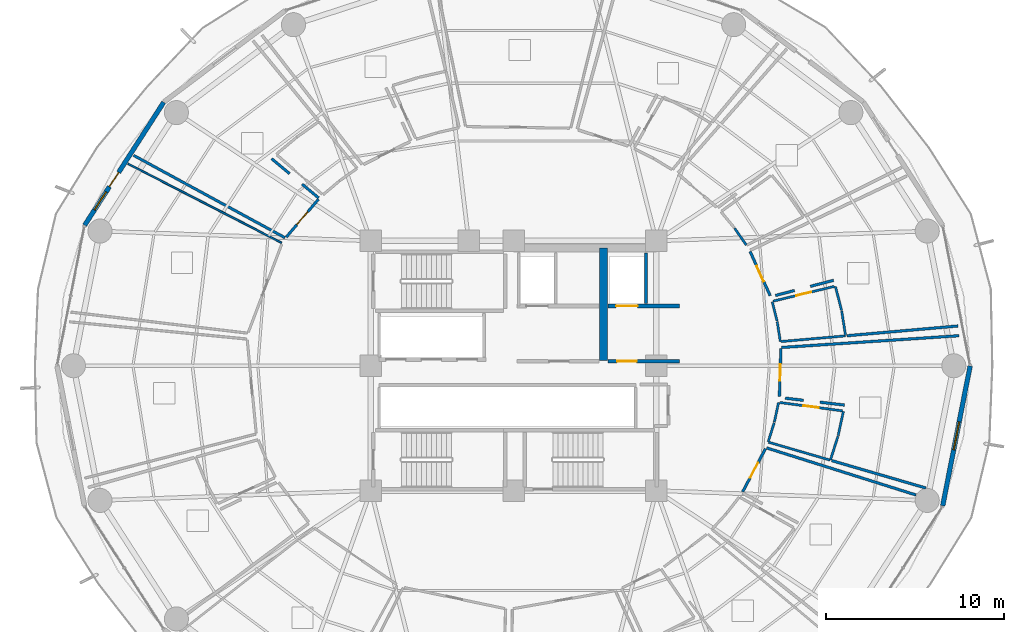
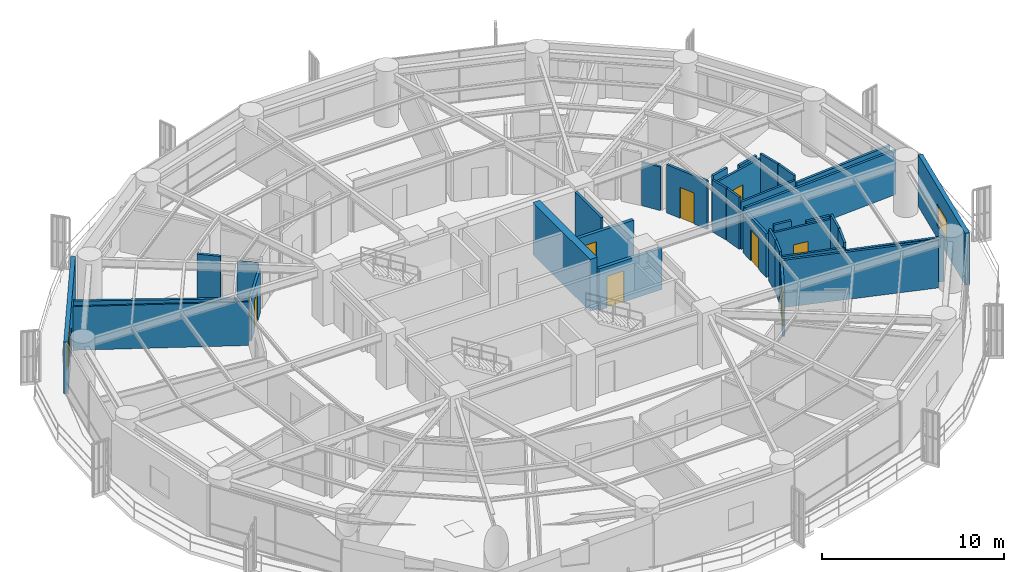
# One storey, part 31 of 38: 35 walls, 9 doors, 2 windows, 11 openings.
"""IFC4 building model written with IfcOpenShell, lengths in metres."""

import ifcopenshell
import ifcopenshell.guid

model = None  # the IFC model being written
_history = None  # IfcOwnerHistory: only IFC2X3 demands one
_inside = {}  # id of a spatial element -> (the spatial element, [elements in it])
_under = {}  # id of a project, library or spatial element -> (it, [spatial elements below it])
_declared = {}  # id of a project -> (the project, [libraries it declares])
_typed = {}  # id of a type object -> (the type object, [elements of that type])
_made_of = {}  # id of a material, layer set ... -> (it, [elements and type objects made of it])


def new_model(schema):
    """Start an empty IFC model of exactly this schema.

    Asked for "IFC4X3", IfcOpenShell would pick the latest addendum, in which some entities
    have other attributes; the version numbers below select the first issue.
    IFC2X3 requires an IfcOwnerHistory on every rooted entity: one is made here for all.
    """
    global model, _history
    if schema == "IFC4X3":
        model = ifcopenshell.file(schema_version=(4, 3, 0, 0))
    else:
        model = ifcopenshell.file(schema=schema)
    _inside.clear()
    _under.clear()
    _declared.clear()
    _typed.clear()
    _made_of.clear()
    _history = None
    if model.schema == "IFC2X3":
        org = make("IfcOrganization", Name="unknown")
        user = make(
            "IfcPersonAndOrganization",
            ThePerson=make("IfcPerson", FamilyName="unknown"),
            TheOrganization=org,
        )
        app = make(
            "IfcApplication",
            ApplicationDeveloper=org,
            Version="unknown",
            ApplicationFullName="unknown",
            ApplicationIdentifier="unknown",
        )
        _history = make(
            "IfcOwnerHistory",
            OwningUser=user,
            OwningApplication=app,
            ChangeAction="ADDED",
            CreationDate=0,
        )
    return model


def make(cls, **values):
    """One entity of the class cls with the attributes given. An attribute that is None is left unset."""
    return model.create_entity(
        cls, **{name: value for name, value in values.items() if value is not None}
    )


def rooted(cls, **values):
    """An entity with a GlobalId (a new one), such as an element, a storey or a relation."""
    return make(cls, GlobalId=ifcopenshell.guid.new(), OwnerHistory=_history, **values)


def si_unit(unit_type, name, prefix=None):
    """IfcSIUnit, for example si_unit("LENGTHUNIT", "METRE", prefix="MILLI")."""
    return make("IfcSIUnit", UnitType=unit_type, Prefix=prefix, Name=name)


def assignment(units):
    """IfcUnitAssignment: the units of a project."""
    return None if units is None else make("IfcUnitAssignment", Units=units)


def point(xyz):
    """IfcCartesianPoint."""
    return None if xyz is None else make("IfcCartesianPoint", Coordinates=xyz)


def direction(xyz):
    """IfcDirection."""
    return None if xyz is None else make("IfcDirection", DirectionRatios=xyz)


def frame(location, z_axis=None, x_axis=None):
    """IfcAxis2Placement3D, a coordinate frame: its origin and axes. An axis left out is left unset."""
    return make(
        "IfcAxis2Placement3D",
        Location=point(location),
        Axis=direction(z_axis),
        RefDirection=direction(x_axis),
    )


def frame_2d(location, x_axis=None):
    """IfcAxis2Placement2D, a coordinate frame in the plane: its origin and x axis."""
    return make(
        "IfcAxis2Placement2D", Location=point(location), RefDirection=direction(x_axis)
    )


def origin():
    """The frame at (0, 0, 0) with its axes left unset."""
    return frame((0.0, 0.0, 0.0))


def place(relative_to, where):
    """IfcLocalPlacement: puts the frame where relative to a parent placement (None: the world)."""
    return make(
        "IfcLocalPlacement", PlacementRelTo=relative_to, RelativePlacement=where
    )


def context(
    kind, dimensions, precision=None, world=None, true_north=None, identifier=None
):
    """IfcGeometricRepresentationContext, for example the 3D "Model" context."""
    return make(
        "IfcGeometricRepresentationContext",
        ContextIdentifier=identifier,
        ContextType=kind,
        CoordinateSpaceDimension=dimensions,
        Precision=precision,
        WorldCoordinateSystem=world,
        TrueNorth=true_north,
    )


def subcontext(parent, identifier, kind, view, scale=None):
    """IfcGeometricRepresentationSubContext, for example "Body" below "Model"."""
    return make(
        "IfcGeometricRepresentationSubContext",
        ContextIdentifier=identifier,
        ContextType=kind,
        ParentContext=parent,
        TargetScale=scale,
        TargetView=view,
    )


def project(units=None, contexts=None):
    """IfcProject with its units and contexts."""
    return rooted(
        "IfcProject",
        Name="project",
        RepresentationContexts=contexts,
        UnitsInContext=assignment(units),
    )


def spatial(cls, under=None, at=None, **own):
    """A site, building, storey or space (cls), placed at a placement, below another one or the project."""
    s = rooted(cls, ObjectPlacement=at, **own)
    if under is not None:
        _under.setdefault(under.id(), (under, []))[1].append(s)
    return s


def profile(cls, at=None, kind="AREA", **sizes):
    """A parametric profile (cls). Its sizes go by their IFC names, for example OverallWidth=200.0."""
    return make(cls, ProfileType=kind, Position=at, **sizes)


def rectangle(**sizes):
    """IfcRectangleProfileDef."""
    return profile("IfcRectangleProfileDef", **sizes)


def extrude(swept, where, along, depth):
    """IfcExtrudedAreaSolid: the profile swept, set in the frame where, extruded along a direction by depth."""
    return make(
        "IfcExtrudedAreaSolid",
        SweptArea=swept,
        Position=where,
        ExtrudedDirection=direction(along),
        Depth=depth,
    )


def shape(context_of_items, identifier, shape_type, items):
    """IfcShapeRepresentation: the items that make up one representation, for example the "Body"."""
    return make(
        "IfcShapeRepresentation",
        ContextOfItems=context_of_items,
        RepresentationIdentifier=identifier,
        RepresentationType=shape_type,
        Items=items,
    )


def material(Name=None, Category=None):
    """IfcMaterial."""
    return make("IfcMaterial", Name=Name, Category=Category)


def layer(
    of_material, thickness, ventilated=None, Name=None, Category=None, Priority=None
):
    """IfcMaterialLayer: one layer of a wall or slab, of a material (None: an air gap)."""
    return make(
        "IfcMaterialLayer",
        Material=of_material,
        LayerThickness=thickness,
        IsVentilated=ventilated,
        Name=Name,
        Category=Category,
        Priority=Priority,
    )


def layer_set(layers, Name=None):
    """IfcMaterialLayerSet."""
    return make("IfcMaterialLayerSet", MaterialLayers=layers, LayerSetName=Name)


def made_of(thing, what):
    """Note that an element or type object is made of a material, layer set ...; save() writes the relation."""
    if what is not None:
        _made_of.setdefault(what.id(), (what, []))[1].append(thing)
    return thing


def type_object(cls, material=None, **own):
    """A type object (cls), such as IfcWallType, which elements share."""
    return made_of(rooted(cls, **own), material)


def element(
    cls,
    number,
    at=None,
    inside=None,
    cuts=None,
    type_object=None,
    material=None,
    context=None,
    identifier="Body",
    shape_type=None,
    held_by="IfcProductDefinitionShape",
    body=None,
    shapes=None,
    **own,
):
    """One element of the class cls, such as IfcWall. Its Tag is "e" and its number.

    at: its placement. inside: the storey or other place that contains it. cuts: it is an
    opening in that element (IfcRelVoidsElement). A single representation is given by context,
    identifier, shape_type and body (its items); several are given by shapes. held_by: the class
    of the entity that holds the representations. save() writes the other relations.
    """
    e = rooted(cls, Tag="e%d" % number, ObjectPlacement=at, **own)
    if body is not None:
        shapes = [shape(context, identifier, shape_type, body)]
    if shapes is not None:
        e.Representation = make(held_by, Representations=shapes)
    if inside is not None:
        _inside.setdefault(inside.id(), (inside, []))[1].append(e)
    if cuts is not None:
        rooted(
            "IfcRelVoidsElement", RelatingBuildingElement=cuts, RelatedOpeningElement=e
        )
    if type_object is not None:
        _typed.setdefault(type_object.id(), (type_object, []))[1].append(e)
    return made_of(e, material)


def fill(opening, filler):
    """IfcRelFillsElement: the door or window that sits in an opening."""
    return rooted(
        "IfcRelFillsElement",
        RelatingOpeningElement=opening,
        RelatedBuildingElement=filler,
    )


def aggregate(whole, parts):
    """IfcRelAggregates: a whole, such as a stair, and the parts it consists of."""
    return rooted("IfcRelAggregates", RelatingObject=whole, RelatedObjects=parts)


def save(model, path):
    """Write the relations noted so far, then the file.

    IfcRelAggregates (storeys below a building ...), IfcRelContainedInSpatialStructure (elements
    in a storey), IfcRelDefinesByType, IfcRelAssociatesMaterial and IfcRelDeclares: one each for
    every whole, place, type object, material and project.
    """
    for whole, parts in _under.values():
        aggregate(whole, parts)
    for where, things in _inside.values():
        rooted(
            "IfcRelContainedInSpatialStructure",
            RelatedElements=things,
            RelatingStructure=where,
        )
    for kind, things in _typed.values():
        rooted("IfcRelDefinesByType", RelatedObjects=things, RelatingType=kind)
    for what, things in _made_of.values():
        rooted("IfcRelAssociatesMaterial", RelatedObjects=things, RelatingMaterial=what)
    for by, libraries in _declared.values():
        rooted("IfcRelDeclares", RelatingContext=by, RelatedDefinitions=libraries)
    model.write(path)


model = new_model("IFC4")

# Units and contexts
model_context = context("Model", 3, precision=1e-05, world=origin(), true_north=direction((0.0, 1.0)))
body_context = subcontext(model_context, "Body", "Model", "MODEL_VIEW")
ifc_project = project(units=[si_unit("LENGTHUNIT", "METRE"), si_unit("AREAUNIT", "SQUARE_METRE"), si_unit("VOLUMEUNIT", "CUBIC_METRE"), si_unit("PLANEANGLEUNIT", "RADIAN"), si_unit("MASSUNIT", "GRAM", prefix="KILO")], contexts=[model_context])

# Site, building, storey
site_placement = place(None, origin())
site = spatial("IfcSite", under=ifc_project, at=site_placement, CompositionType="ELEMENT")
building_placement = place(site_placement, origin())
building = spatial("IfcBuilding", under=site, at=building_placement, Name="Kelanora Arch Commons", CompositionType="ELEMENT")
storey_placement = place(building_placement, frame((0.0, 0.0, 106.35009765625)))
storey = spatial("IfcBuildingStorey", under=building, at=storey_placement, Name="L27", CompositionType="ELEMENT", Elevation=106.35009765625)

# Wall
ifc_material_1 = material(Name="Autoclaved aerated concrete blockwork with fire plaster", Category="masonry")
ifc_layer_1 = layer(ifc_material_1, 0.14990234375)
ifc_layer_set_1 = layer_set([ifc_layer_1], Name="Autoclaved aerated concrete blockwork with fire plaster")
wall_type_1 = type_object("IfcWallType", Name="W-COMP-150", PredefinedType="PARTITIONING", material=ifc_layer_set_1)
wall_1_placement = place(storey_placement, frame((81.419921875, 61.47998046875, 0.0), z_axis=(0.0, 0.0, 1.0), x_axis=(0.0, 1.0, 0.0)))
element("IfcWall", 1, at=wall_1_placement, inside=storey, type_object=wall_type_1, Name="Firefighting Lift 2 East Shaft Wall L27", PredefinedType="PARTITIONING", context=body_context, shape_type="SweptSolid", body=[
    extrude(rectangle(XDim=2.840087890625, YDim=0.14990234375, at=frame_2d((1.419921875, 0.0))), origin(), (0.0, 0.0, 1.0), 3.47998046875),
])

# Wall, opening, door
wall_2_placement = place(storey_placement, frame((88.38720703125, 61.924560546875, 0.0), z_axis=(0.0, 0.0, 1.0), x_axis=(-0.413748987938, 0.910391001153, 0.0)))
wall_2 = element("IfcWall", 2, at=wall_2_placement, inside=storey, type_object=wall_type_1, Name="Co-Living Studio L27-01 Entry Partition", PredefinedType="PARTITIONING", context=body_context, shape_type="SweptSolid", body=[
    extrude(rectangle(XDim=2.727294921875, YDim=0.14990234375, at=frame_2d((1.36376953125, 0.0))), origin(), (0.0, 0.0, 1.0), 3.23486328125),
])
opening_1_placement = place(wall_2_placement, frame((0.888916015625, 0.0, 0.0)))
opening_1 = element("IfcOpeningElement", 3, at=opening_1_placement, cuts=wall_2, Name="Opening D-CLU1", PredefinedType="OPENING", context=body_context, shape_type="SweptSolid", body=[
    extrude(rectangle(XDim=0.949951171875, YDim=2.080078125, at=frame_2d((0.47509765625, 1.0400390625))), frame((0.0, 0.0849609375, 0.0), z_axis=(0.0, -1.0, 0.0), x_axis=(1.0, 0.0, 0.0)), (0.0, 0.0, 1.0), 0.169921875),
])
ifc_material_2 = material(Name="Solid-core acoustic timber cluster entry fire door", Category="wood")
door_type_1 = type_object("IfcDoorType", Name="D-CLU-95", OperationType="NOTDEFINED", PredefinedType="DOOR", material=ifc_material_2)
door_1_placement = place(opening_1_placement, origin())
door_1 = element("IfcDoor", 4, at=door_1_placement, inside=storey, type_object=door_type_1, Name="Co-Living Studio L27-01 Door", OperationType="SINGLE_SWING_LEFT", OverallHeight=2.080078125, OverallWidth=0.949951171875, PredefinedType="DOOR", context=body_context, shape_type="SweptSolid", body=[
    extrude(rectangle(XDim=0.949951171875, YDim=2.080078125, at=frame_2d((0.47509765625, 1.0400390625))), frame((0.0, 0.02490234375, 0.0), z_axis=(0.0, -1.0, 0.0), x_axis=(1.0, 0.0, 0.0)), (0.0, 0.0, 1.0), 0.050048828125),
])
fill(opening_1, door_1)

wall_3_placement = place(storey_placement, frame((63.060302734375, 67.33740234375, 0.0), z_axis=(0.0, 0.0, 1.0), x_axis=(-0.647519081114, -0.762049236988, 0.0)))
wall_3 = element("IfcWall", 5, at=wall_3_placement, inside=storey, type_object=wall_type_1, Name="Co-Living Studio L27-06 Entry Partition", PredefinedType="PARTITIONING", context=body_context, shape_type="SweptSolid", body=[
    extrude(rectangle(XDim=2.794677734375, YDim=0.14990234375, at=frame_2d((1.3974609375, 0.0))), origin(), (0.0, 0.0, 1.0), 2.9248046875),
])
opening_2_placement = place(wall_3_placement, frame((0.922119140625, 0.0, 0.0)))
opening_2 = element("IfcOpeningElement", 6, at=opening_2_placement, cuts=wall_3, Name="Opening D-CLU1", PredefinedType="OPENING", context=body_context, shape_type="SweptSolid", body=[
    extrude(rectangle(XDim=0.949951171875, YDim=2.080078125, at=frame_2d((0.47509765625, 1.0400390625))), frame((0.0, 0.0849609375, 0.0), z_axis=(0.0, -1.0, 0.0), x_axis=(1.0, 0.0, 0.0)), (0.0, 0.0, 1.0), 0.169921875),
])
door_2_placement = place(opening_2_placement, origin())
door_2 = element("IfcDoor", 7, at=door_2_placement, inside=storey, type_object=door_type_1, Name="Co-Living Studio L27-06 Door", OperationType="SINGLE_SWING_RIGHT", OverallHeight=2.080078125, OverallWidth=0.949951171875, PredefinedType="DOOR", context=body_context, shape_type="SweptSolid", body=[
    extrude(rectangle(XDim=0.949951171875, YDim=2.080078125, at=frame_2d((0.47509765625, 1.0400390625))), frame((0.0, 0.02490234375, 0.0), z_axis=(0.0, -1.0, 0.0), x_axis=(1.0, 0.0, 0.0)), (0.0, 0.0, 1.0), 0.050048828125),
])
fill(opening_2, door_2)

wall_4_placement = place(storey_placement, frame((86.842041015625, 50.929931640625, 0.0), z_axis=(0.0, 0.0, 1.0), x_axis=(0.467240653506, 0.884130178034, 0.0)))
wall_4 = element("IfcWall", 8, at=wall_4_placement, inside=storey, type_object=wall_type_1, Name="Co-Living Studio L27-14 Entry Partition", PredefinedType="PARTITIONING", context=body_context, shape_type="SweptSolid", body=[
    extrude(rectangle(XDim=2.739501953125, YDim=0.14990234375, at=frame_2d((1.36962890625, 0.0))), origin(), (0.0, 0.0, 1.0), 2.9248046875),
])
opening_3_placement = place(wall_4_placement, frame((0.89501953125, 0.0, 0.0)))
opening_3 = element("IfcOpeningElement", 9, at=opening_3_placement, cuts=wall_4, Name="Opening D-CLU1", PredefinedType="OPENING", context=body_context, shape_type="SweptSolid", body=[
    extrude(rectangle(XDim=0.949951171875, YDim=2.080078125, at=frame_2d((0.47509765625, 1.0400390625))), frame((0.0, 0.0849609375, 0.0), z_axis=(0.0, -1.0, 0.0), x_axis=(1.0, 0.0, 0.0)), (0.0, 0.0, 1.0), 0.169921875),
])
door_3_placement = place(opening_3_placement, origin())
door_3 = element("IfcDoor", 10, at=door_3_placement, inside=storey, type_object=door_type_1, Name="Co-Living Studio L27-14 Door", OperationType="SINGLE_SWING_LEFT", OverallHeight=2.080078125, OverallWidth=0.949951171875, PredefinedType="DOOR", context=body_context, shape_type="SweptSolid", body=[
    extrude(rectangle(XDim=0.949951171875, YDim=2.080078125, at=frame_2d((0.47509765625, 1.0400390625))), frame((0.0, 0.02490234375, 0.0), z_axis=(0.0, -1.0, 0.0), x_axis=(1.0, 0.0, 0.0)), (0.0, 0.0, 1.0), 0.050048828125),
])
fill(opening_3, door_3)

wall_5_placement = place(storey_placement, frame((88.90283203125, 56.280029296875, 0.0), z_axis=(0.0, 0.0, 1.0), x_axis=(0.031027384649, 0.999518534797, 0.0)))
wall_5 = element("IfcWall", 11, at=wall_5_placement, inside=storey, type_object=wall_type_1, Name="Co-Living Studio L27-15 Entry Partition", PredefinedType="PARTITIONING", context=body_context, shape_type="SweptSolid", body=[
    extrude(rectangle(XDim=2.68310546875, YDim=0.14990234375, at=frame_2d((1.341552734375, 0.0))), origin(), (0.0, 0.0, 1.0), 2.9248046875),
])
opening_4_placement = place(wall_5_placement, frame((0.866943359375, 0.0, 0.0)))
opening_4 = element("IfcOpeningElement", 12, at=opening_4_placement, cuts=wall_5, Name="Opening D-CLU1", PredefinedType="OPENING", context=body_context, shape_type="SweptSolid", body=[
    extrude(rectangle(XDim=0.949951171875, YDim=2.080078125, at=frame_2d((0.47509765625, 1.0400390625))), frame((0.0, 0.0849609375, 0.0), z_axis=(0.0, -1.0, 0.0), x_axis=(1.0, 0.0, 0.0)), (0.0, 0.0, 1.0), 0.169921875),
])
door_4_placement = place(opening_4_placement, origin())
door_4 = element("IfcDoor", 13, at=door_4_placement, inside=storey, type_object=door_type_1, Name="Co-Living Studio L27-15 Door", OperationType="SINGLE_SWING_LEFT", OverallHeight=2.080078125, OverallWidth=0.949951171875, PredefinedType="DOOR", context=body_context, shape_type="SweptSolid", body=[
    extrude(rectangle(XDim=0.949951171875, YDim=2.080078125, at=frame_2d((0.47509765625, 1.0400390625))), frame((0.0, 0.02490234375, 0.0), z_axis=(0.0, -1.0, 0.0), x_axis=(1.0, 0.0, 0.0)), (0.0, 0.0, 1.0), 0.050048828125),
])
fill(opening_4, door_4)

# Walls
wall_6_placement = place(storey_placement, frame((98.916259765625, 60.2294921875, 0.0), z_axis=(0.0, 0.0, 1.0), x_axis=(-0.996158887303, -0.08756409793, 0.0)))
element("IfcWall", 14, at=wall_6_placement, inside=storey, type_object=wall_type_1, Name="Co-Living Studio L27-01 Enclosure Partition 5", PredefinedType="PARTITIONING", context=body_context, shape_type="SweptSolid", body=[
    extrude(rectangle(XDim=6.245361328125, YDim=0.14990234375, at=frame_2d((3.12255859375, 0.0))), origin(), (0.0, 0.0, 1.0), 2.974853515625),
])
wall_7_placement = place(storey_placement, frame((91.938232421875, 62.788818359375, 0.0), z_axis=(0.0, 0.0, 1.0), x_axis=(-0.967708049996, -0.252073659816, 0.0)))
element("IfcWall", 15, at=wall_7_placement, inside=storey, type_object=wall_type_1, Name="Co-Living Studio L27-01 Enclosure Partition 7", PredefinedType="PARTITIONING", context=body_context, shape_type="SweptSolid", body=[
    extrude(rectangle(XDim=1.34130859375, YDim=0.14990234375, at=frame_2d((0.670654296875, 0.0))), origin(), (0.0, 0.0, 1.0), 3.1748046875),
])
wall_8_placement = place(storey_placement, frame((89.74951171875, 62.218505859375, 0.0), z_axis=(0.0, 0.0, 1.0), x_axis=(-0.96768541666, -0.252160532962, 0.0)))
element("IfcWall", 16, at=wall_8_placement, inside=storey, type_object=wall_type_1, Name="Co-Living Studio L27-01 Enclosure Partition 7", PredefinedType="PARTITIONING", context=body_context, shape_type="SweptSolid", body=[
    extrude(rectangle(XDim=1.102783203125, YDim=0.14990234375, at=frame_2d((0.55126953125, 0.0))), origin(), (0.0, 0.0, 1.0), 3.47998046875),
])
wall_9_placement = place(storey_placement, frame((61.177001953125, 65.18115234375, 0.0), z_axis=(0.0, 0.0, 1.0), x_axis=(-0.878445909545, 0.477841798092, 0.0)))
element("IfcWall", 17, at=wall_9_placement, inside=storey, type_object=wall_type_1, Name="Co-Living Studio L27-06 Enclosure Partition 2", PredefinedType="PARTITIONING", context=body_context, shape_type="SweptSolid", body=[
    extrude(rectangle(XDim=9.6533203125, YDim=0.14990234375, at=frame_2d((4.82666015625, 0.0))), origin(), (0.0, 0.0, 1.0), 2.9248046875),
])
wall_10_placement = place(storey_placement, frame((60.4326171875, 69.611328125, 0.0), z_axis=(0.0, 0.0, 1.0), x_axis=(0.767335111176, -0.641246307714, 0.0)))
element("IfcWall", 18, at=wall_10_placement, inside=storey, type_object=wall_type_1, Name="Co-Living Studio L27-06 Enclosure Partition 7", PredefinedType="PARTITIONING", context=body_context, shape_type="SweptSolid", body=[
    extrude(rectangle(XDim=1.310791015625, YDim=0.14990234375, at=frame_2d((0.6552734375, 0.0))), origin(), (0.0, 0.0, 1.0), 3.47998046875),
])
wall_11_placement = place(storey_placement, frame((62.14453125, 68.1806640625, 0.0), z_axis=(0.0, 0.0, 1.0), x_axis=(0.767356229846, -0.641221035616, 0.0)))
element("IfcWall", 19, at=wall_11_placement, inside=storey, type_object=wall_type_1, Name="Co-Living Studio L27-06 Enclosure Partition 7", PredefinedType="PARTITIONING", context=body_context, shape_type="SweptSolid", body=[
    extrude(rectangle(XDim=1.203857421875, YDim=0.14990234375, at=frame_2d((0.60205078125, 0.0))), origin(), (0.0, 0.0, 1.0), 3.23486328125),
])
wall_12_placement = place(storey_placement, frame((88.18798828125, 53.39306640625, 0.0), z_axis=(0.0, 0.0, 1.0), x_axis=(0.95372586497, -0.300677525743, 0.0)))
element("IfcWall", 20, at=wall_12_placement, inside=storey, type_object=wall_type_1, Name="Co-Living Studio L27-14 Enclosure Partition 2", PredefinedType="PARTITIONING", context=body_context, shape_type="SweptSolid", body=[
    extrude(rectangle(XDim=8.77978515625, YDim=0.14990234375, at=frame_2d((4.389892578125, 0.0))), origin(), (0.0, 0.0, 1.0), 3.1748046875),
])
wall_13_placement = place(storey_placement, frame((89.02783203125, 59.024658203125, 0.0), z_axis=(0.0, 0.0, 1.0), x_axis=(0.997812074352, 0.066114024819, 0.0)))
element("IfcWall", 21, at=wall_13_placement, inside=storey, type_object=wall_type_1, Name="Co-Living Studio L27-15 Enclosure Partition 2", PredefinedType="PARTITIONING", context=body_context, shape_type="SweptSolid", body=[
    extrude(rectangle(XDim=9.962890625, YDim=0.14990234375, at=frame_2d((4.9814453125, 0.0))), origin(), (0.0, 0.0, 1.0), 2.974853515625),
])
wall_14_placement = place(storey_placement, frame((97.114990234375, 51.14404296875, 0.0), z_axis=(0.0, 0.0, 1.0), x_axis=(-0.960104911934, 0.279640050924, 0.0)))
element("IfcWall", 22, at=wall_14_placement, inside=storey, type_object=wall_type_1, Name="Co-Living Studio L27-15 Enclosure Partition 5", PredefinedType="PARTITIONING", context=body_context, shape_type="SweptSolid", body=[
    extrude(rectangle(XDim=5.495849609375, YDim=0.14990234375, at=frame_2d((2.748046875, 0.0))), origin(), (0.0, 0.0, 1.0), 2.974853515625),
])
wall_15_placement = place(storey_placement, frame((92.54736328125, 55.796630859375, 0.0), z_axis=(0.0, 0.0, 1.0), x_axis=(-0.993324337397, 0.115354933722, 0.0)))
element("IfcWall", 23, at=wall_15_placement, inside=storey, type_object=wall_type_1, Name="Co-Living Studio L27-15 Enclosure Partition 7", PredefinedType="PARTITIONING", context=body_context, shape_type="SweptSolid", body=[
    extrude(rectangle(XDim=1.382080078125, YDim=0.14990234375, at=frame_2d((0.69091796875, 0.0))), origin(), (0.0, 0.0, 1.0), 3.1748046875),
])
wall_16_placement = place(storey_placement, frame((90.260498046875, 56.06201171875, 0.0), z_axis=(0.0, 0.0, 1.0), x_axis=(-0.993318037321, 0.115409170924, 0.0)))
element("IfcWall", 24, at=wall_16_placement, inside=storey, type_object=wall_type_1, Name="Co-Living Studio L27-15 Enclosure Partition 7", PredefinedType="PARTITIONING", context=body_context, shape_type="SweptSolid", body=[
    extrude(rectangle(XDim=1.03857421875, YDim=0.14990234375, at=frame_2d((0.519287109375, 0.0))), origin(), (0.0, 0.0, 1.0), 3.47998046875),
])
ifc_material_3 = material(Name="Concrete C60/75", Category="concrete")
ifc_layer_2 = layer(ifc_material_3, 0.449951171875)
ifc_layer_set_2 = layer_set([ifc_layer_2], Name="Concrete C60/75")
wall_type_2 = type_object("IfcWallType", Name="W-CORE-450", PredefinedType="SHEAR", material=ifc_layer_set_2)
wall_17_placement = place(storey_placement, frame((79.050048828125, 58.300048828125, 0.0), z_axis=(0.0, 0.0, 1.0), x_axis=(0.0, 1.0, 0.0)))
element("IfcWall", 25, at=wall_17_placement, inside=storey, type_object=wall_type_2, Name="Core Shear Spine L27-CE-N", PredefinedType="SHEAR", context=body_context, shape_type="SweptSolid", body=[
    extrude(rectangle(XDim=6.300048828125, YDim=0.449951171875, at=frame_2d((3.14990234375, 0.0))), origin(), (0.0, 0.0, 1.0), 3.489990234375),
])

# Wall, openings, door, window
ifc_material_4 = material(Name="Precast concrete C40/50 with terracotta rainscreen", Category="masonry")
ifc_layer_3 = layer(ifc_material_4, 0.260009765625)
ifc_layer_set_3 = layer_set([ifc_layer_3], Name="Precast concrete C40/50 with terracotta rainscreen")
wall_type_3 = type_object("IfcWallType", Name="W-EXT-TC", PredefinedType="SOLIDWALL", material=ifc_layer_set_3)
wall_18_placement = place(storey_placement, frame((54.381103515625, 72.771484375, 0.0), z_axis=(0.0, 0.0, 1.0), x_axis=(-0.540620528459, -0.841266571432, 0.0)))
wall_18 = element("IfcWall", 26, at=wall_18_placement, inside=storey, type_object=wall_type_3, Name="Terracotta Exterior Wall L27-B07", PredefinedType="SOLIDWALL", context=body_context, shape_type="SweptSolid", body=[
    extrude(rectangle(XDim=8.19287109375, YDim=0.260009765625, at=frame_2d((4.096435546875, 0.0))), origin(), (0.0, 0.0, 1.0), 3.474853515625),
])
opening_5_placement = place(wall_18_placement, frame((4.6708984375, 0.0, 0.0)))
opening_5 = element("IfcOpeningElement", 27, at=opening_5_placement, cuts=wall_18, Name="Opening DB-01", PredefinedType="OPENING", context=body_context, shape_type="SweptSolid", body=[
    extrude(rectangle(XDim=0.949951171875, YDim=2.10009765625, at=frame_2d((0.47509765625, 1.050048828125))), frame((0.0, 0.14013671875, 0.0), z_axis=(0.0, -1.0, 0.0), x_axis=(1.0, 0.0, 0.0)), (0.0, 0.0, 1.0), 0.280029296875),
])
opening_6_placement = place(wall_18_placement, frame((5.970947265625, 0.0, 0.85009765625)))
opening_6 = element("IfcOpeningElement", 28, at=opening_6_placement, cuts=wall_18, Name="Opening WN-02", PredefinedType="OPENING", context=body_context, shape_type="SweptSolid", body=[
    extrude(rectangle(XDim=1.199951171875, YDim=1.449951171875, at=frame_2d((0.60009765625, 0.72509765625))), frame((0.0, 0.14013671875, 0.0), z_axis=(0.0, -1.0, 0.0), x_axis=(1.0, 0.0, 0.0)), (0.0, 0.0, 1.0), 0.280029296875),
])
ifc_material_5 = material(Name="Terracotta-aluminium thermally broken glazed balcony door", Category="masonry")
door_type_2 = type_object("IfcDoorType", Name="D-BAL-10", OperationType="NOTDEFINED", PredefinedType="DOOR", material=ifc_material_5)
door_5_placement = place(opening_5_placement, frame((0.949951171875, 0.0, 0.0), z_axis=(0.0, 0.0, 1.0), x_axis=(-1.0, 0.0, 0.0)))
door_5 = element("IfcDoor", 29, at=door_5_placement, inside=storey, type_object=door_type_2, Name="Wave Balcony Door L27-B07", OperationType="SINGLE_SWING_LEFT", OverallHeight=2.10009765625, OverallWidth=0.949951171875, PredefinedType="DOOR", context=body_context, shape_type="SweptSolid", body=[
    extrude(rectangle(XDim=0.949951171875, YDim=2.10009765625, at=frame_2d((0.47509765625, 1.050048828125))), frame((0.0, 0.02490234375, 0.0), z_axis=(0.0, -1.0, 0.0), x_axis=(1.0, 0.0, 0.0)), (0.0, 0.0, 1.0), 0.050048828125),
])
fill(opening_5, door_5)
ifc_material_6 = material(Name="Terracotta-anodised aluminium frame with operable awning sash", Category="masonry")
window_type_1 = type_object("IfcWindowType", Name="WIN-CL-12", PartitioningType="SINGLE_PANEL", PredefinedType="WINDOW", material=ifc_material_6)
window_1_placement = place(opening_6_placement, origin())
window_1 = element("IfcWindow", 30, at=window_1_placement, inside=storey, type_object=window_type_1, Name="Co-Living Operable Window L27-B07", OverallHeight=1.449951171875, OverallWidth=1.199951171875, PartitioningType="SINGLE_PANEL", PredefinedType="WINDOW", context=body_context, shape_type="SweptSolid", body=[
    extrude(rectangle(XDim=1.199951171875, YDim=1.449951171875, at=frame_2d((0.60009765625, 0.72509765625))), frame((0.0, 0.030029296875, 0.0), z_axis=(0.0, -1.0, 0.0), x_axis=(1.0, 0.0, 0.0)), (0.0, 0.0, 1.0), 0.06005859375),
])
fill(opening_6, window_1)

# Wall, opening, window
wall_19_placement = place(storey_placement, frame((98.05908203125, 50.148193359375, 0.0), z_axis=(0.0, 0.0, 1.0), x_axis=(0.192581843632, 0.981280914674, 0.0)))
wall_19 = element("IfcWall", 31, at=wall_19_placement, inside=storey, type_object=wall_type_3, Name="Terracotta Exterior Wall L27-B17", PredefinedType="SOLIDWALL", context=body_context, shape_type="SweptSolid", body=[
    extrude(rectangle(XDim=7.986572265625, YDim=0.260009765625, at=frame_2d((3.9931640625, 0.0))), origin(), (0.0, 0.0, 1.0), 3.474853515625),
])
opening_7_placement = place(wall_19_placement, frame((3.193115234375, 0.0, 0.85009765625)))
opening_7 = element("IfcOpeningElement", 32, at=opening_7_placement, cuts=wall_19, Name="Opening WN-01", PredefinedType="OPENING", context=body_context, shape_type="SweptSolid", body=[
    extrude(rectangle(XDim=1.60009765625, YDim=1.449951171875, at=frame_2d((0.800048828125, 0.72509765625))), frame((0.0, 0.14013671875, 0.0), z_axis=(0.0, -1.0, 0.0), x_axis=(1.0, 0.0, 0.0)), (0.0, 0.0, 1.0), 0.280029296875),
])
ifc_material_7 = material(Name="Terracotta-anodised aluminium frame with operable low-E glazing", Category="masonry")
window_type_2 = type_object("IfcWindowType", Name="WIN-CL-18", PartitioningType="DOUBLE_PANEL_VERTICAL", PredefinedType="WINDOW", material=ifc_material_7)
window_2_placement = place(opening_7_placement, origin())
window_2 = element("IfcWindow", 33, at=window_2_placement, inside=storey, type_object=window_type_2, Name="Co-Living Operable Window L27-B17", OverallHeight=1.449951171875, OverallWidth=1.60009765625, PartitioningType="SINGLE_PANEL", PredefinedType="WINDOW", context=body_context, shape_type="SweptSolid", body=[
    extrude(rectangle(XDim=1.60009765625, YDim=1.449951171875, at=frame_2d((0.800048828125, 0.72509765625))), frame((0.0, 0.030029296875, 0.0), z_axis=(0.0, -1.0, 0.0), x_axis=(1.0, 0.0, 0.0)), (0.0, 0.0, 1.0), 0.06005859375),
])
fill(opening_7, window_2)

# Wall, opening, door
ifc_material_8 = material(Name="Concrete C40/50", Category="concrete")
ifc_layer_4 = layer(ifc_material_8, 0.199951171875)
ifc_layer_set_4 = layer_set([ifc_layer_4], Name="Concrete C40/50")
wall_type_4 = type_object("IfcWallType", Name="W-FFL-200", PredefinedType="SOLIDWALL", material=ifc_layer_set_4)
wall_20_placement = place(storey_placement, frame((79.300048828125, 61.35009765625, 0.0), z_axis=(0.0, 0.0, 1.0), x_axis=(1.0, 0.0, 0.0)))
wall_20 = element("IfcWall", 34, at=wall_20_placement, inside=storey, type_object=wall_type_4, Name="Firefighting Lift 2 Shaft Front L27", PredefinedType="SOLIDWALL", context=body_context, shape_type="SweptSolid", body=[
    extrude(rectangle(XDim=4.0, YDim=0.199951171875, at=frame_2d((2.0, 0.0))), origin(), (0.0, 0.0, 1.0), 2.77490234375),
])
opening_8_placement = place(wall_20_placement, frame((0.449951171875, 0.0, 0.0)))
opening_8 = element("IfcOpeningElement", 35, at=opening_8_placement, cuts=wall_20, Name="Opening LD-FF", PredefinedType="OPENING", context=body_context, shape_type="SweptSolid", body=[
    extrude(rectangle(XDim=1.199951171875, YDim=2.14990234375, at=frame_2d((0.60009765625, 1.074951171875))), frame((0.0, 0.10986328125, 0.0), z_axis=(0.0, -1.0, 0.0), x_axis=(1.0, 0.0, 0.0)), (0.0, 0.0, 1.0), 0.219970703125),
])
ifc_material_9 = material(Name="Fire-rated firefighters lift sliding landing door")
door_type_3 = type_object("IfcDoorType", Name="D-LIFT-FF", OperationType="NOTDEFINED", PredefinedType="DOOR", material=ifc_material_9)
door_6_placement = place(opening_8_placement, origin())
door_6 = element("IfcDoor", 36, at=door_6_placement, inside=storey, type_object=door_type_3, Name="Firefighting Lift LF-FF2 Landing Door L27", OperationType="DOUBLE_DOOR_SLIDING", OverallHeight=2.14990234375, OverallWidth=1.199951171875, PredefinedType="DOOR", context=body_context, shape_type="SweptSolid", body=[
    extrude(rectangle(XDim=1.199951171875, YDim=2.14990234375, at=frame_2d((0.60009765625, 1.074951171875))), frame((0.0, 0.02490234375, 0.0), z_axis=(0.0, -1.0, 0.0), x_axis=(1.0, 0.0, 0.0)), (0.0, 0.0, 1.0), 0.050048828125),
])
fill(opening_8, door_6)

wall_21_placement = place(storey_placement, frame((79.300048828125, 58.25, 0.0), z_axis=(0.0, 0.0, 1.0), x_axis=(1.0, 0.0, 0.0)))
wall_21 = element("IfcWall", 37, at=wall_21_placement, inside=storey, type_object=wall_type_4, Name="Firefighting Lobby 2 Enclosure Wall L27", PredefinedType="SOLIDWALL", context=body_context, shape_type="SweptSolid", body=[
    extrude(rectangle(XDim=4.0, YDim=0.199951171875, at=frame_2d((2.0, 0.0))), origin(), (0.0, 0.0, 1.0), 2.77490234375),
])
opening_9_placement = place(wall_21_placement, frame((0.5, 0.0, 0.0)))
opening_9 = element("IfcOpeningElement", 38, at=opening_9_placement, cuts=wall_21, Name="Opening D-FFL1", PredefinedType="OPENING", context=body_context, shape_type="SweptSolid", body=[
    extrude(rectangle(XDim=1.10009765625, YDim=2.10009765625, at=frame_2d((0.550048828125, 1.050048828125))), frame((0.0, 0.10986328125, 0.0), z_axis=(0.0, -1.0, 0.0), x_axis=(1.0, 0.0, 0.0)), (0.0, 0.0, 1.0), 0.219970703125),
])
ifc_material_10 = material(Name="Smoke-sealed firefighting lobby fire door")
door_type_4 = type_object("IfcDoorType", Name="D-FFL-110", OperationType="NOTDEFINED", PredefinedType="DOOR", material=ifc_material_10)
door_7_placement = place(opening_9_placement, frame((1.10009765625, 0.0, 0.0), z_axis=(0.0, 0.0, 1.0), x_axis=(-1.0, 0.0, 0.0)))
door_7 = element("IfcDoor", 39, at=door_7_placement, inside=storey, type_object=door_type_4, Name="Firefighting Lobby 2 Door L27", OperationType="SINGLE_SWING_RIGHT", OverallHeight=2.10009765625, OverallWidth=1.10009765625, PredefinedType="DOOR", context=body_context, shape_type="SweptSolid", body=[
    extrude(rectangle(XDim=1.10009765625, YDim=2.10009765625, at=frame_2d((0.550048828125, 1.050048828125))), frame((0.0, 0.02490234375, 0.0), z_axis=(0.0, -1.0, 0.0), x_axis=(1.0, 0.0, 0.0)), (0.0, 0.0, 1.0), 0.050048828125),
])
fill(opening_9, door_7)

# Wall
ifc_material_11 = material(Name="Lightweight fire-rated acoustic stud partition")
ifc_layer_5 = layer(ifc_material_11, 0.10009765625)
ifc_layer_set_5 = layer_set([ifc_layer_5], Name="Lightweight fire-rated acoustic stud partition")
wall_type_5 = type_object("IfcWallType", Name="W-PART-100", PredefinedType="PARTITIONING", material=ifc_layer_set_5)
wall_22_placement = place(storey_placement, frame((52.381591796875, 69.32373046875, 0.0), z_axis=(0.0, 0.0, 1.0), x_axis=(0.889175506344, -0.457566300025, 0.0)))
element("IfcWall", 40, at=wall_22_placement, inside=storey, type_object=wall_type_5, Name="Social Sky Lounge L27-07 Enclosure Partition 4", PredefinedType="PARTITIONING", context=body_context, shape_type="SweptSolid", body=[
    extrude(rectangle(XDim=9.67822265625, YDim=0.10009765625, at=frame_2d((4.839111328125, 0.0))), origin(), (0.0, 0.0, 1.0), 2.9248046875),
])

# Wall, opening, door
ifc_material_12 = material(Name="Moisture-resistant fire-rated cement-board plumbing wall")
ifc_layer_6 = layer(ifc_material_12, 0.1298828125)
ifc_layer_set_6 = layer_set([ifc_layer_6], Name="Moisture-resistant fire-rated cement-board plumbing wall")
wall_type_6 = type_object("IfcWallType", Name="W-WET-120", PredefinedType="PLUMBINGWALL", material=ifc_layer_set_6)
wall_23_placement = place(storey_placement, frame((88.55224609375, 61.62109375, 0.0), z_axis=(0.0, 0.0, 1.0), x_axis=(0.972155080707, 0.234338428465, 0.0)))
wall_23 = element("IfcWall", 41, at=wall_23_placement, inside=storey, type_object=wall_type_6, Name="En-Suite Shower WC L27-01 Entry Partition", PredefinedType="PLUMBINGWALL", context=body_context, shape_type="SweptSolid", body=[
    extrude(rectangle(XDim=3.528564453125, YDim=0.1298828125, at=frame_2d((1.76416015625, 0.0))), origin(), (0.0, 0.0, 1.0), 3.1748046875),
])
opening_10_placement = place(wall_23_placement, frame((1.333984375, 0.0, 0.0)))
opening_10 = element("IfcOpeningElement", 42, at=opening_10_placement, cuts=wall_23, Name="Opening D-BT1", PredefinedType="OPENING", context=body_context, shape_type="SweptSolid", body=[
    extrude(rectangle(XDim=0.860107421875, YDim=2.050048828125, at=frame_2d((0.43017578125, 1.02490234375))), frame((0.0, 0.074951171875, 0.0), z_axis=(0.0, -1.0, 0.0), x_axis=(1.0, 0.0, 0.0)), (0.0, 0.0, 1.0), 0.14990234375),
])
ifc_material_13 = material(Name="Moisture-sealed fire-rated accessible bathroom door")
door_type_5 = type_object("IfcDoorType", Name="D-BATH-85", OperationType="NOTDEFINED", PredefinedType="DOOR", material=ifc_material_13)
door_8_placement = place(opening_10_placement, origin())
door_8 = element("IfcDoor", 43, at=door_8_placement, inside=storey, type_object=door_type_5, Name="En-Suite Shower WC L27-01 Door", OperationType="SINGLE_SWING_RIGHT", OverallHeight=2.050048828125, OverallWidth=0.860107421875, PredefinedType="DOOR", context=body_context, shape_type="SweptSolid", body=[
    extrude(rectangle(XDim=0.860107421875, YDim=2.050048828125, at=frame_2d((0.43017578125, 1.02490234375))), frame((0.0, 0.02490234375, 0.0), z_axis=(0.0, -1.0, 0.0), x_axis=(1.0, 0.0, 0.0)), (0.0, 0.0, 1.0), 0.050048828125),
])
fill(opening_10, door_8)

wall_24_placement = place(storey_placement, frame((88.91845703125, 55.94091796875, 0.0), z_axis=(0.0, 0.0, 1.0), x_axis=(0.991153836697, -0.132718016867, 0.0)))
wall_24 = element("IfcWall", 44, at=wall_24_placement, inside=storey, type_object=wall_type_6, Name="En-Suite Shower WC L27-15 Entry Partition", PredefinedType="PLUMBINGWALL", context=body_context, shape_type="SweptSolid", body=[
    extrude(rectangle(XDim=3.548583984375, YDim=0.1298828125, at=frame_2d((1.7744140625, 0.0))), origin(), (0.0, 0.0, 1.0), 3.1748046875),
])
opening_11_placement = place(wall_24_placement, frame((1.343994140625, 0.0, 0.0)))
opening_11 = element("IfcOpeningElement", 45, at=opening_11_placement, cuts=wall_24, Name="Opening D-BT1", PredefinedType="OPENING", context=body_context, shape_type="SweptSolid", body=[
    extrude(rectangle(XDim=0.860107421875, YDim=2.050048828125, at=frame_2d((0.43017578125, 1.02490234375))), frame((0.0, 0.074951171875, 0.0), z_axis=(0.0, -1.0, 0.0), x_axis=(1.0, 0.0, 0.0)), (0.0, 0.0, 1.0), 0.14990234375),
])
door_9_placement = place(opening_11_placement, origin())
door_9 = element("IfcDoor", 46, at=door_9_placement, inside=storey, type_object=door_type_5, Name="En-Suite Shower WC L27-15 Door", OperationType="SINGLE_SWING_RIGHT", OverallHeight=2.050048828125, OverallWidth=0.860107421875, PredefinedType="DOOR", context=body_context, shape_type="SweptSolid", body=[
    extrude(rectangle(XDim=0.860107421875, YDim=2.050048828125, at=frame_2d((0.43017578125, 1.02490234375))), frame((0.0, 0.02490234375, 0.0), z_axis=(0.0, -1.0, 0.0), x_axis=(1.0, 0.0, 0.0)), (0.0, 0.0, 1.0), 0.050048828125),
])
fill(opening_11, door_9)

# Walls
wall_25_placement = place(storey_placement, frame((88.952880859375, 59.373779296875, 0.0), z_axis=(0.0, 0.0, 1.0), x_axis=(-0.15586083115, 0.987779024536, 0.0)))
element("IfcWall", 47, at=wall_25_placement, inside=storey, type_object=wall_type_6, Name="En-Suite Shower WC L27-01 Enclosure Partition 1", PredefinedType="PLUMBINGWALL", context=body_context, shape_type="SweptSolid", body=[
    extrude(rectangle(XDim=1.109130859375, YDim=0.1298828125, at=frame_2d((0.5546875, 0.0))), origin(), (0.0, 0.0, 1.0), 3.47998046875),
])
wall_26_placement = place(storey_placement, frame((88.772216796875, 60.50830078125, 0.0), z_axis=(0.0, 0.0, 1.0), x_axis=(-0.245578364709, 0.96937674141, 0.0)))
element("IfcWall", 48, at=wall_26_placement, inside=storey, type_object=wall_type_6, Name="En-Suite Shower WC L27-01 Enclosure Partition 2", PredefinedType="PLUMBINGWALL", context=body_context, shape_type="SweptSolid", body=[
    extrude(rectangle(XDim=1.113525390625, YDim=0.1298828125, at=frame_2d((0.556640625, 0.0))), origin(), (0.0, 0.0, 1.0), 3.47998046875),
])
wall_27_placement = place(storey_placement, frame((92.0458984375, 62.442626953125, 0.0), z_axis=(0.0, 0.0, 1.0), x_axis=(0.246925879087, -0.969034369998, 0.0)))
element("IfcWall", 49, at=wall_27_placement, inside=storey, type_object=wall_type_6, Name="En-Suite Shower WC L27-01 Enclosure Partition 4", PredefinedType="PLUMBINGWALL", context=body_context, shape_type="SweptSolid", body=[
    extrude(rectangle(XDim=1.38623046875, YDim=0.1298828125, at=frame_2d((0.693115234375, 0.0))), origin(), (0.0, 0.0, 1.0), 3.47998046875),
])
wall_28_placement = place(storey_placement, frame((92.39599609375, 61.060302734375, 0.0), z_axis=(0.0, 0.0, 1.0), x_axis=(0.156116740912, -0.987738610771, 0.0)))
element("IfcWall", 50, at=wall_28_placement, inside=storey, type_object=wall_type_6, Name="En-Suite Shower WC L27-01 Enclosure Partition 5", PredefinedType="PLUMBINGWALL", context=body_context, shape_type="SweptSolid", body=[
    extrude(rectangle(XDim=1.38232421875, YDim=0.1298828125, at=frame_2d((0.691162109375, 0.0))), origin(), (0.0, 0.0, 1.0), 3.47998046875),
])
wall_29_placement = place(storey_placement, frame((92.59521484375, 59.67333984375, 0.0), z_axis=(0.0, 0.0, 1.0), x_axis=(-0.996171439416, -0.087421183317, 0.0)))
element("IfcWall", 51, at=wall_29_placement, inside=storey, type_object=wall_type_6, Name="En-Suite Shower WC L27-01 Enclosure Partition 6", PredefinedType="PLUMBINGWALL", context=body_context, shape_type="SweptSolid", body=[
    extrude(rectangle(XDim=3.63330078125, YDim=0.1298828125, at=frame_2d((1.816650390625, 0.0))), origin(), (0.0, 0.0, 1.0), 3.1748046875),
])
wall_30_placement = place(storey_placement, frame((87.044677734375, 64.769287109375, 0.0), z_axis=(0.0, 0.0, 1.0), x_axis=(-0.569710294604, 0.821845593906, 0.0)))
element("IfcWall", 52, at=wall_30_placement, inside=storey, type_object=wall_type_6, Name="En-Suite Shower WC L27-02 Enclosure Partition 1", PredefinedType="PLUMBINGWALL", context=body_context, shape_type="SweptSolid", body=[
    extrude(rectangle(XDim=1.1416015625, YDim=0.1298828125, at=frame_2d((0.57080078125, 0.0))), origin(), (0.0, 0.0, 1.0), 2.9248046875),
])
wall_31_placement = place(storey_placement, frame((88.27587890625, 53.739013671875, 0.0), z_axis=(0.0, 0.0, 1.0), x_axis=(0.299445496357, 0.954113407678, 0.0)))
element("IfcWall", 53, at=wall_31_placement, inside=storey, type_object=wall_type_6, Name="En-Suite Shower WC L27-15 Enclosure Partition 1", PredefinedType="PLUMBINGWALL", context=body_context, shape_type="SweptSolid", body=[
    extrude(rectangle(XDim=1.1162109375, YDim=0.1298828125, at=frame_2d((0.55810546875, 0.0))), origin(), (0.0, 0.0, 1.0), 3.47998046875),
])
wall_32_placement = place(storey_placement, frame((88.6201171875, 54.842529296875, 0.0), z_axis=(0.0, 0.0, 1.0), x_axis=(0.210998305567, 0.97748642704, 0.0)))
element("IfcWall", 54, at=wall_32_placement, inside=storey, type_object=wall_type_6, Name="En-Suite Shower WC L27-15 Enclosure Partition 2", PredefinedType="PLUMBINGWALL", context=body_context, shape_type="SweptSolid", body=[
    extrude(rectangle(XDim=1.112060546875, YDim=0.1298828125, at=frame_2d((0.55615234375, 0.0))), origin(), (0.0, 0.0, 1.0), 3.47998046875),
])
wall_33_placement = place(storey_placement, frame((92.49072265625, 55.4423828125, 0.0), z_axis=(0.0, 0.0, 1.0), x_axis=(-0.211815062924, -0.977309766204, 0.0)))
element("IfcWall", 55, at=wall_33_placement, inside=storey, type_object=wall_type_6, Name="En-Suite Shower WC L27-15 Enclosure Partition 4", PredefinedType="PLUMBINGWALL", context=body_context, shape_type="SweptSolid", body=[
    extrude(rectangle(XDim=1.385498046875, YDim=0.1298828125, at=frame_2d((0.69287109375, 0.0))), origin(), (0.0, 0.0, 1.0), 3.47998046875),
])
wall_34_placement = place(storey_placement, frame((92.18701171875, 54.0498046875, 0.0), z_axis=(0.0, 0.0, 1.0), x_axis=(-0.301333060242, -0.953518949369, 0.0)))
element("IfcWall", 56, at=wall_34_placement, inside=storey, type_object=wall_type_6, Name="En-Suite Shower WC L27-15 Enclosure Partition 5", PredefinedType="PLUMBINGWALL", context=body_context, shape_type="SweptSolid", body=[
    extrude(rectangle(XDim=1.390380859375, YDim=0.1298828125, at=frame_2d((0.6953125, 0.0))), origin(), (0.0, 0.0, 1.0), 3.47998046875),
])
wall_35_placement = place(storey_placement, frame((91.742919921875, 52.710693359375, 0.0), z_axis=(0.0, 0.0, 1.0), x_axis=(-0.960271729766, 0.279066667685, 0.0)))
element("IfcWall", 57, at=wall_35_placement, inside=storey, type_object=wall_type_6, Name="En-Suite Shower WC L27-15 Enclosure Partition 6", PredefinedType="PLUMBINGWALL", context=body_context, shape_type="SweptSolid", body=[
    extrude(rectangle(XDim=3.596435546875, YDim=0.1298828125, at=frame_2d((1.79833984375, 0.0))), origin(), (0.0, 0.0, 1.0), 3.1748046875),
])

save(model, "model.ifc")
